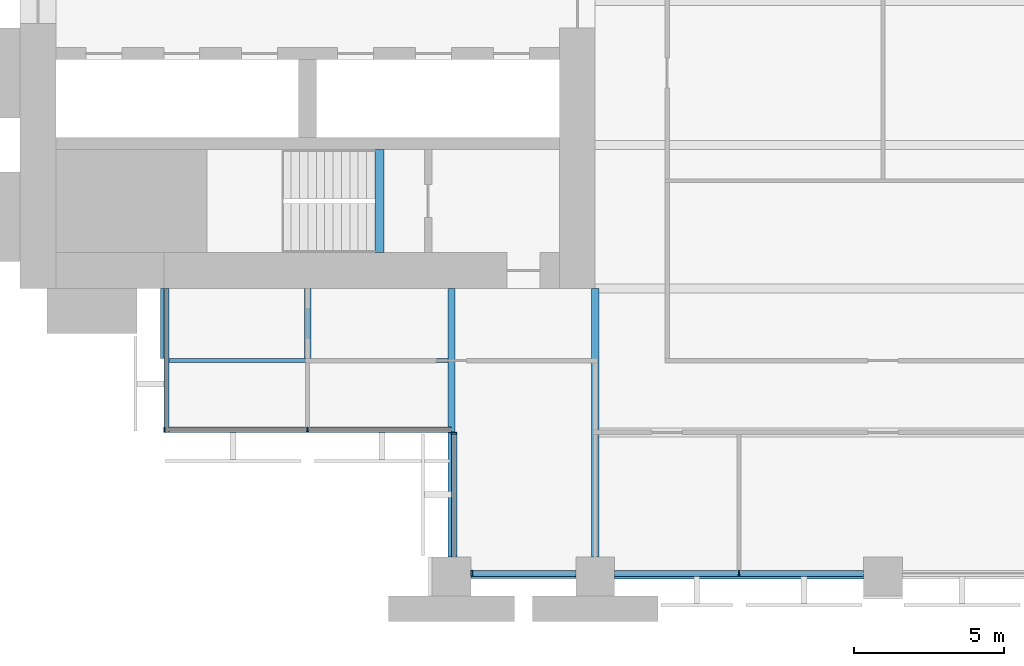
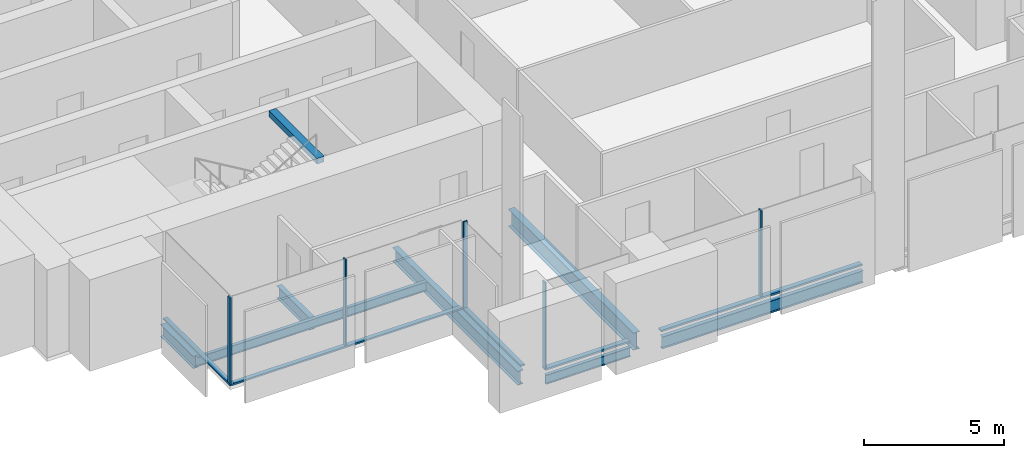
# One storey, part 2 of 14: 10 members, 8 beams, 4 elements without a shape of their own.
"""IFC4 building model written with IfcOpenShell, lengths in metres."""

from ifc_helpers import new_model, si_unit, direction, frame, origin, origin_2d, place, context, subcontext, project, spatial, rectangle, i_section, extrude, material, material_profile, profile_set, type_object, element, aggregate, save


model = new_model("IFC4")

# Units and contexts
model_context = context("Model", 3, precision=1e-05, world=origin(), true_north=direction((0.0, 1.0)))
body_context = subcontext(model_context, "Body", "Model", "MODEL_VIEW")
ifc_project = project(units=[si_unit("LENGTHUNIT", "METRE"), si_unit("AREAUNIT", "SQUARE_METRE"), si_unit("VOLUMEUNIT", "CUBIC_METRE"), si_unit("PLANEANGLEUNIT", "RADIAN"), si_unit("MASSUNIT", "GRAM", prefix="KILO")], contexts=[model_context])

# Site, building, storey
site_placement = place(None, origin())
site = spatial("IfcSite", under=ifc_project, at=site_placement, CompositionType="ELEMENT")
building_placement = place(site_placement, origin())
building = spatial("IfcBuilding", under=site, at=building_placement, Name="Baori Bourse Tower", CompositionType="ELEMENT")
storey_placement = place(building_placement, frame((0.0, 0.0, 51.0)))
storey = spatial("IfcBuildingStorey", under=building, at=storey_placement, Name="L10", CompositionType="ELEMENT", Elevation=51.0)

# Curtain wall, members
ifc_material_1 = material(Name="Pale anodised aluminium", Category="aluminium")
curtain_wall_type_1 = type_object("IfcCurtainWallType", Name="CW1 Curtain wall", PredefinedType="NOTDEFINED", material=ifc_material_1)
curtain_wall_1_placement = place(storey_placement, origin())
curtain_wall_1 = element("IfcCurtainWall", 1, at=curtain_wall_1_placement, inside=storey, type_object=curtain_wall_type_1, Name="Curtain wall CW1 L10 11", PredefinedType="NOTDEFINED")
ifc_material_2 = material(Name="Pale anodised aluminium", Category="aluminium")
ifc_material_profile_1 = material_profile(ifc_material_2, rectangle(XDim=0.199951171875, YDim=0.06005859375, at=origin_2d()), Name="Mullion 60x200")
ifc_profile_set_1 = profile_set([ifc_material_profile_1], Name="Pale anodised aluminium")
member_type_1 = type_object("IfcMemberType", Name="CW1 Curtain wall mullion", PredefinedType="MULLION", material=ifc_profile_set_1)
member_1_placement = place(storey_placement, frame((15.080078125, 0.10009765625, 0.080078125), z_axis=(0.0, 0.0, 1.0), x_axis=(0.0, 1.0, 0.0)))
member_1 = element("IfcMember", 2, at=member_1_placement, type_object=member_type_1, Name="Curtain wall CW1 mullion", PredefinedType="MULLION", context=body_context, shape_type="SweptSolid", body=[
    extrude(rectangle(XDim=0.199951171875, YDim=0.06005859375, at=origin_2d()), origin(), (0.0, 0.0, 1.0), 3.760009765625),
])
member_2_placement = place(storey_placement, frame((24.0, 0.10009765625, 0.080078125), z_axis=(0.0, 0.0, 1.0), x_axis=(0.0, 1.0, 0.0)))
member_2 = element("IfcMember", 3, at=member_2_placement, type_object=member_type_1, Name="Curtain wall CW1 mullion", PredefinedType="MULLION", context=body_context, shape_type="SweptSolid", body=[
    extrude(rectangle(XDim=0.199951171875, YDim=0.06005859375, at=origin_2d()), origin(), (0.0, 0.0, 1.0), 3.760009765625),
])
ifc_material_3 = material(Name="Pale anodised aluminium", Category="aluminium")
ifc_material_profile_2 = material_profile(ifc_material_3, rectangle(XDim=0.199951171875, YDim=0.080078125, at=origin_2d()), Name="Transom 80x200")
ifc_profile_set_2 = profile_set([ifc_material_profile_2], Name="Pale anodised aluminium")
member_type_2 = type_object("IfcMemberType", Name="CW1 Curtain wall transom", PredefinedType="USERDEFINED", material=ifc_profile_set_2)
member_3_placement = place(storey_placement, frame((15.050048828125, 0.10009765625, 0.0400390625), z_axis=(1.0, 0.0, 0.0), x_axis=(0.0, 1.0, 0.0)))
member_3 = element("IfcMember", 4, at=member_3_placement, type_object=member_type_2, Name="Curtain wall CW1 sill rail", ObjectType="TRANSOM", PredefinedType="USERDEFINED", context=body_context, shape_type="SweptSolid", body=[
    extrude(rectangle(XDim=0.199951171875, YDim=0.080078125, at=origin_2d()), origin(), (0.0, 0.0, 1.0), 3.5),
])
member_4_placement = place(storey_placement, frame((19.85009765625, 0.10009765625, 0.0400390625), z_axis=(1.0, 0.0, 0.0), x_axis=(0.0, 1.0, 0.0)))
member_4 = element("IfcMember", 5, at=member_4_placement, type_object=member_type_2, Name="Curtain wall CW1 sill rail", ObjectType="TRANSOM", PredefinedType="USERDEFINED", context=body_context, shape_type="SweptSolid", body=[
    extrude(rectangle(XDim=0.199951171875, YDim=0.080078125, at=origin_2d()), origin(), (0.0, 0.0, 1.0), 8.2998046875),
])
aggregate(curtain_wall_1, [member_3, member_1, member_4, member_2])

ifc_material_4 = material(Name="Pale anodised aluminium", Category="aluminium")
curtain_wall_type_2 = type_object("IfcCurtainWallType", Name="CW2 Curtain wall", PredefinedType="NOTDEFINED", material=ifc_material_4)
curtain_wall_2_placement = place(storey_placement, origin())
curtain_wall_2 = element("IfcCurtainWall", 6, at=curtain_wall_2_placement, inside=storey, type_object=curtain_wall_type_2, Name="Curtain wall CW2 L10 9", PredefinedType="NOTDEFINED")
ifc_material_5 = material(Name="Pale anodised aluminium", Category="aluminium")
ifc_material_profile_3 = material_profile(ifc_material_5, rectangle(XDim=0.179931640625, YDim=0.054931640625, at=origin_2d()), Name="Mullion 55x180")
ifc_profile_set_3 = profile_set([ifc_material_profile_3], Name="Pale anodised aluminium")
member_type_3 = type_object("IfcMemberType", Name="CW2 Curtain wall mullion", PredefinedType="MULLION", material=ifc_profile_set_3)
member_5_placement = place(storey_placement, frame((4.827392578125, 4.889892578125, 0.070068359375), z_axis=(0.0, 0.0, 1.0), x_axis=(0.0, 1.0, 0.0)))
member_5 = element("IfcMember", 7, at=member_5_placement, type_object=member_type_3, Name="Curtain wall CW2 mullion", PredefinedType="MULLION", context=body_context, shape_type="SweptSolid", body=[
    extrude(rectangle(XDim=0.179931640625, YDim=0.054931640625, at=origin_2d()), origin(), (0.0, 0.0, 1.0), 3.77001953125),
])
member_6_placement = place(storey_placement, frame((9.60009765625, 4.889892578125, 0.070068359375), z_axis=(0.0, 0.0, 1.0), x_axis=(0.0, 1.0, 0.0)))
member_6 = element("IfcMember", 8, at=member_6_placement, type_object=member_type_3, Name="Curtain wall CW2 mullion", PredefinedType="MULLION", context=body_context, shape_type="SweptSolid", body=[
    extrude(rectangle(XDim=0.179931640625, YDim=0.054931640625, at=origin_2d()), origin(), (0.0, 0.0, 1.0), 3.77001953125),
])

# Curtain wall, member
curtain_wall_3_placement = place(storey_placement, origin())
curtain_wall_3 = element("IfcCurtainWall", 9, at=curtain_wall_3_placement, inside=storey, type_object=curtain_wall_type_2, Name="Curtain wall CW2 L10 10", PredefinedType="NOTDEFINED")
member_7_placement = place(storey_placement, frame((14.489990234375, 4.7724609375, 0.070068359375), z_axis=(0.0, 0.0, 1.0), x_axis=(1.0, 0.0, 0.0)))
member_7 = element("IfcMember", 10, at=member_7_placement, type_object=member_type_3, Name="Curtain wall CW2 mullion", PredefinedType="MULLION", context=body_context, shape_type="SweptSolid", body=[
    extrude(rectangle(XDim=0.179931640625, YDim=0.054931640625, at=origin_2d()), origin(), (0.0, 0.0, 1.0), 3.77001953125),
])

curtain_wall_4_placement = place(storey_placement, origin())
curtain_wall_4 = element("IfcCurtainWall", 11, at=curtain_wall_4_placement, inside=storey, type_object=curtain_wall_type_2, Name="Curtain wall CW2 L10 8", PredefinedType="NOTDEFINED")
ifc_material_6 = material(Name="Pale anodised aluminium", Category="aluminium")
ifc_material_profile_4 = material_profile(ifc_material_6, rectangle(XDim=0.179931640625, YDim=0.070068359375, at=origin_2d()), Name="Transom 70x180")
ifc_profile_set_4 = profile_set([ifc_material_profile_4], Name="Pale anodised aluminium")
member_type_4 = type_object("IfcMemberType", Name="CW2 Curtain wall transom", PredefinedType="USERDEFINED", material=ifc_profile_set_4)
member_8_placement = place(storey_placement, frame((4.889892578125, 9.60009765625, 0.034912109375), z_axis=(0.0, -1.0, 0.0), x_axis=(1.0, 0.0, 0.0)))
member_8 = element("IfcMember", 12, at=member_8_placement, type_object=member_type_4, Name="Curtain wall CW2 sill rail", ObjectType="TRANSOM", PredefinedType="USERDEFINED", context=body_context, shape_type="SweptSolid", body=[
    extrude(rectangle(XDim=0.179931640625, YDim=0.070068359375, at=origin_2d()), origin(), (0.0, 0.0, 1.0), 4.800048828125),
])
aggregate(curtain_wall_4, [member_8])

# Member
member_9_placement = place(storey_placement, frame((4.800048828125, 4.889892578125, 0.034912109375), z_axis=(1.0, 0.0, 0.0), x_axis=(0.0, 1.0, 0.0)))
member_9 = element("IfcMember", 13, at=member_9_placement, type_object=member_type_4, Name="Curtain wall CW2 sill rail", ObjectType="TRANSOM", PredefinedType="USERDEFINED", context=body_context, shape_type="SweptSolid", body=[
    extrude(rectangle(XDim=0.179931640625, YDim=0.070068359375, at=origin_2d()), origin(), (0.0, 0.0, 1.0), 9.599853515625),
])

aggregate(curtain_wall_2, [member_9, member_5, member_6])

member_10_placement = place(storey_placement, frame((14.489990234375, 4.800048828125, 0.034912109375), z_axis=(0.0, -1.0, 0.0), x_axis=(1.0, 0.0, 0.0)))
member_10 = element("IfcMember", 14, at=member_10_placement, type_object=member_type_4, Name="Curtain wall CW2 sill rail", ObjectType="TRANSOM", PredefinedType="USERDEFINED", context=body_context, shape_type="SweptSolid", body=[
    extrude(rectangle(XDim=0.179931640625, YDim=0.070068359375, at=origin_2d()), origin(), (0.0, 0.0, 1.0), 4.150146484375),
])

aggregate(curtain_wall_3, [member_10, member_7])

# Beams
ifc_material_7 = material(Name="Steel A992 Gr 50", Category="steel")
ifc_material_profile_5 = material_profile(ifc_material_7, i_section(OverallWidth=0.21240234375, OverallDepth=0.54345703125, WebThickness=0.01318359375, FlangeThickness=0.021240234375, at=origin_2d()), Name="W21x83")
ifc_profile_set_5 = profile_set([ifc_material_profile_5], Name="Steel A992 Gr 50")
beam_type_1 = type_object("IfcBeamType", Name="Core bracket W21x83", PredefinedType="BEAM", material=ifc_profile_set_5)
for number, where, z_axis, x_axis, name in (
    (15, (4.800048828125, 7.270263671875, -0.431884765625), (0.0, 1.0, 0.0), (-1.0, 0.0, 0.0), "Core bracket L10"),
    (16, (9.60009765625, 7.270263671875, -0.431884765625), (0.0, 1.0, 0.0), (-1.0, 0.0, 0.0), "Core bracket L10"),
):
    element("IfcBeam", number, at=place(storey_placement, frame(where, z_axis=z_axis, x_axis=x_axis)), inside=storey, type_object=beam_type_1, Name=name, PredefinedType="BEAM", context=body_context, shape_type="SweptSolid", body=[
        extrude(i_section(OverallWidth=0.21240234375, OverallDepth=0.54345703125, WebThickness=0.01318359375, FlangeThickness=0.021240234375, at=origin_2d()), origin(), (0.0, 0.0, 1.0), 2.329833984375),
    ])
ifc_material_8 = material(Name="Steel A992 Gr 50", Category="steel")
ifc_material_profile_6 = material_profile(ifc_material_8, i_section(OverallWidth=0.140380859375, OverallDepth=0.40380859375, WebThickness=0.007080078125, FlangeThickness=0.01123046875, at=origin_2d()), Name="W16x31")
ifc_profile_set_6 = profile_set([ifc_material_profile_6], Name="Steel A992 Gr 50")
beam_type_2 = type_object("IfcBeamType", Name="Edge beam W16x31", PredefinedType="BEAM", material=ifc_profile_set_6)
beam_1_placement = place(storey_placement, frame((15.050048828125, 0.0, -0.36181640625), z_axis=(1.0, 0.0, 0.0), x_axis=(0.0, 1.0, 0.0)))
element("IfcBeam", 17, at=beam_1_placement, inside=storey, type_object=beam_type_2, Name="Edge beam L10", PredefinedType="BEAM", context=body_context, shape_type="SweptSolid", body=[
    extrude(i_section(OverallWidth=0.140380859375, OverallDepth=0.40380859375, WebThickness=0.007080078125, FlangeThickness=0.01123046875, at=origin_2d()), origin(), (0.0, 0.0, 1.0), 3.5),
])
ifc_material_9 = material(Name="Steel A992 Gr 50", Category="steel")
ifc_material_profile_7 = material_profile(ifc_material_9, i_section(OverallWidth=0.1650390625, OverallDepth=0.52587890625, WebThickness=0.0087890625, FlangeThickness=0.011474609375, at=origin_2d()), Name="W21x44")
ifc_profile_set_7 = profile_set([ifc_material_profile_7], Name="Steel A992 Gr 50")
beam_type_3 = type_object("IfcBeamType", Name="Edge beam W21x44", PredefinedType="BEAM", material=ifc_profile_set_7)
beam_2_placement = place(storey_placement, frame((19.85009765625, 0.0, -0.4228515625), z_axis=(1.0, 0.0, 0.0), x_axis=(0.0, 1.0, 0.0)))
element("IfcBeam", 18, at=beam_2_placement, inside=storey, type_object=beam_type_3, Name="Edge beam L10", PredefinedType="BEAM", context=body_context, shape_type="SweptSolid", body=[
    extrude(i_section(OverallWidth=0.1650390625, OverallDepth=0.52587890625, WebThickness=0.0087890625, FlangeThickness=0.011474609375, at=origin_2d()), origin(), (0.0, 0.0, 1.0), 8.2998046875),
])
ifc_material_10 = material(Name="Steel A992 Gr 50", Category="steel")
ifc_material_profile_8 = material_profile(ifc_material_10, i_section(OverallWidth=0.22900390625, OverallDepth=0.612060546875, WebThickness=0.011962890625, FlangeThickness=0.01953125, at=origin_2d()), Name="W24x84")
ifc_profile_set_8 = profile_set([ifc_material_profile_8], Name="Steel A992 Gr 50")
beam_type_4 = type_object("IfcBeamType", Name="Floor beam W24x84", PredefinedType="BEAM", material=ifc_profile_set_8)
beam_3_placement = place(storey_placement, frame((14.39990234375, 0.64990234375, -0.466064453125), z_axis=(0.0, 1.0, 0.0), x_axis=(-1.0, 0.0, 0.0)))
element("IfcBeam", 19, at=beam_3_placement, inside=storey, type_object=beam_type_4, Name="Floor beam L10", PredefinedType="BEAM", context=body_context, shape_type="SweptSolid", body=[
    extrude(i_section(OverallWidth=0.22900390625, OverallDepth=0.612060546875, WebThickness=0.011962890625, FlangeThickness=0.01953125, at=origin_2d()), origin(), (0.0, 0.0, 1.0), 8.9501953125),
])
ifc_material_11 = material(Name="Steel A992 Gr 50", Category="steel")
ifc_material_profile_9 = material_profile(ifc_material_11, i_section(OverallWidth=0.2666015625, OverallDepth=0.7568359375, WebThickness=0.013916015625, FlangeThickness=0.019287109375, at=origin_2d()), Name="W30x108")
ifc_profile_set_9 = profile_set([ifc_material_profile_9], Name="Steel A992 Gr 50")
beam_type_5 = type_object("IfcBeamType", Name="Girder W30x108", PredefinedType="BEAM", material=ifc_profile_set_9)
beam_4_placement = place(storey_placement, frame((19.199951171875, 0.64990234375, -0.53857421875), z_axis=(0.0, 1.0, 0.0), x_axis=(-1.0, 0.0, 0.0)))
element("IfcBeam", 20, at=beam_4_placement, inside=storey, type_object=beam_type_5, Name="Girder L10", PredefinedType="BEAM", context=body_context, shape_type="SweptSolid", body=[
    extrude(i_section(OverallWidth=0.2666015625, OverallDepth=0.7568359375, WebThickness=0.013916015625, FlangeThickness=0.019287109375, at=origin_2d()), origin(), (0.0, 0.0, 1.0), 8.9501953125),
])
ifc_material_12 = material(Name="Concrete f'c 50 MPa", Category="concrete")
ifc_material_profile_10 = material_profile(ifc_material_12, rectangle(XDim=0.300048828125, YDim=0.25, at=origin_2d()), Name="RC 300x250")
ifc_profile_set_10 = profile_set([ifc_material_profile_10], Name="Concrete f'c 50 MPa")
beam_type_6 = type_object("IfcBeamType", Name="Stair nib beam RC 300x250", PredefinedType="BEAM", material=ifc_profile_set_10)
beam_5_placement = place(storey_placement, frame((12.0, 10.800048828125, 3.715087890625), z_axis=(0.0, 1.0, 0.0), x_axis=(-1.0, 0.0, 0.0)))
element("IfcBeam", 21, at=beam_5_placement, inside=storey, type_object=beam_type_6, Name="Stair WA nib beam L11", PredefinedType="BEAM", context=body_context, shape_type="SweptSolid", body=[
    extrude(rectangle(XDim=0.300048828125, YDim=0.25, at=origin_2d()), origin(), (0.0, 0.0, 1.0), 3.449951171875),
])
ifc_material_13 = material(Name="Steel A992 Gr 50", Category="steel")
ifc_material_profile_11 = material_profile(ifc_material_13, i_section(OverallWidth=0.140380859375, OverallDepth=0.40380859375, WebThickness=0.007080078125, FlangeThickness=0.01123046875, at=origin_2d()), Name="W16x31")
ifc_profile_set_11 = profile_set([ifc_material_profile_11], Name="Steel A992 Gr 50")
beam_type_7 = type_object("IfcBeamType", Name="Trimmer beam W16x31", PredefinedType="BEAM", material=ifc_profile_set_11)
beam_6_placement = place(storey_placement, frame((4.800048828125, 7.199951171875, -0.36181640625), z_axis=(1.0, 0.0, 0.0), x_axis=(0.0, 1.0, 0.0)))
element("IfcBeam", 22, at=beam_6_placement, inside=storey, type_object=beam_type_7, Name="Trimmer beam L10", PredefinedType="BEAM", context=body_context, shape_type="SweptSolid", body=[
    extrude(i_section(OverallWidth=0.140380859375, OverallDepth=0.40380859375, WebThickness=0.007080078125, FlangeThickness=0.01123046875, at=origin_2d()), origin(), (0.0, 0.0, 1.0), 9.4853515625),
])

save(model, "model.ifc")
